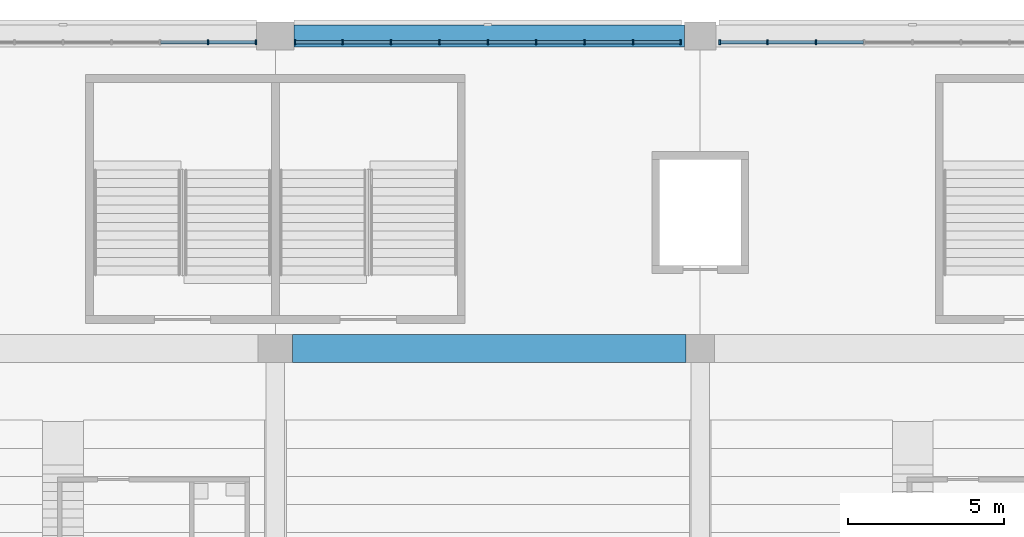
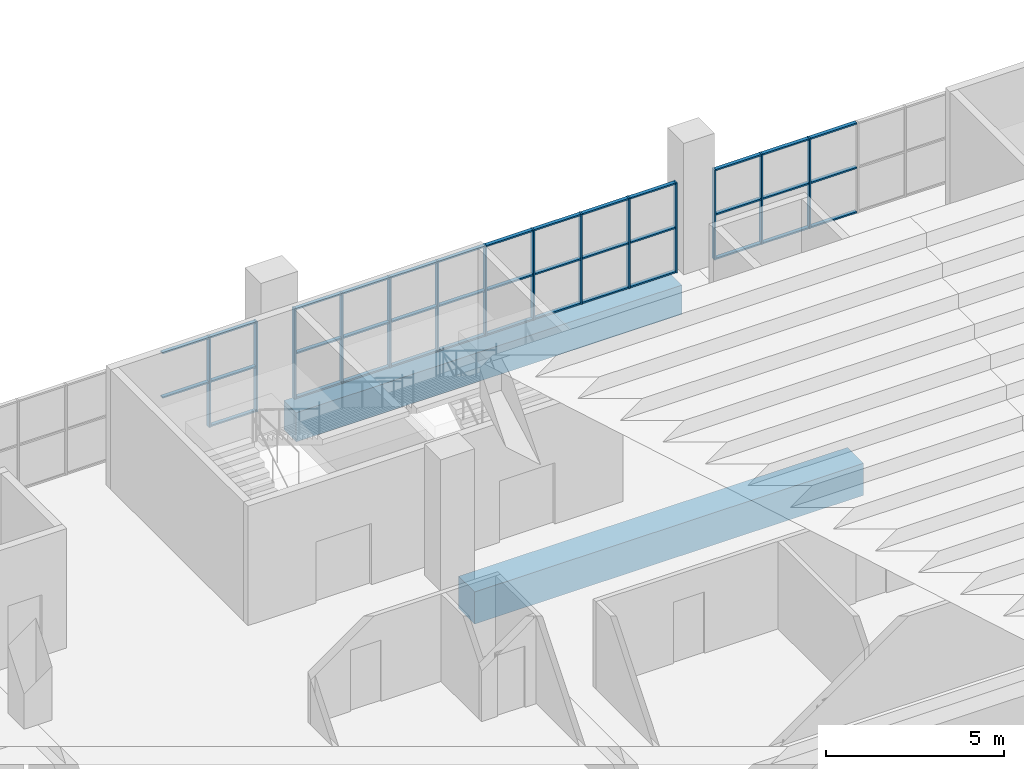
# One storey, part 51 of 249: 52 members, 2 beams, 3 elements without a shape of their own.
"""IFC4 building model written with IfcOpenShell, lengths in metres."""

from ifc_helpers import new_model, si_unit, direction, frame, origin, origin_2d, place, context, subcontext, project, spatial, rectangle, extrude, material, material_profile, profile_set, type_object, element, aggregate, save


model = new_model("IFC4")

# Units and contexts
model_context = context("Model", 3, precision=1e-05, world=origin(), true_north=direction((0.0, 1.0)))
body_context = subcontext(model_context, "Body", "Model", "MODEL_VIEW")
ifc_project = project(units=[si_unit("LENGTHUNIT", "METRE"), si_unit("AREAUNIT", "SQUARE_METRE"), si_unit("VOLUMEUNIT", "CUBIC_METRE"), si_unit("PLANEANGLEUNIT", "RADIAN"), si_unit("MASSUNIT", "GRAM", prefix="KILO")], contexts=[model_context])

# Site, building, storey
site_placement = place(None, origin())
site = spatial("IfcSite", under=ifc_project, at=site_placement, CompositionType="ELEMENT")
building_placement = place(site_placement, origin())
building = spatial("IfcBuilding", under=site, at=building_placement, Name="Ogive Plaza Stadium", CompositionType="ELEMENT")
storey_placement = place(building_placement, frame((0.0, 0.0, 13.5)))
storey = spatial("IfcBuildingStorey", under=building, at=storey_placement, Name="L03", CompositionType="ELEMENT", Elevation=13.5)

# Curtain wall, members
ifc_material_1 = material(Name="Bronze-anodised aluminium with laminated glass", Category="aluminium")
curtain_wall_type = type_object("IfcCurtainWallType", Name="Lancet curtain wall", PredefinedType="NOTDEFINED", material=ifc_material_1)
curtain_wall_1_placement = place(storey_placement, origin())
curtain_wall_1 = element("IfcCurtainWall", 1, at=curtain_wall_1_placement, inside=storey, type_object=curtain_wall_type, Name="CURTAIN WALL B33 L03", PredefinedType="NOTDEFINED")
ifc_material_2 = material(Name="Bronze-anodised aluminium", Category="aluminium")
ifc_material_profile_1 = material_profile(ifc_material_2, rectangle(XDim=0.14990234375, YDim=0.050048828125, at=origin_2d()), Name="AL 150x50")
ifc_profile_set_1 = profile_set([ifc_material_profile_1], Name="Bronze-anodised aluminium")
member_type_1 = type_object("IfcMemberType", Name="Curtain wall mullion 50x150", PredefinedType="MULLION", material=ifc_profile_set_1)
member_1_placement = place(storey_placement, frame((-8.949951171875, 102.300048828125, 0.0), z_axis=(0.0, 0.0, 1.0), x_axis=(0.0, 1.0, 0.0)))
member_1 = element("IfcMember", 2, at=member_1_placement, type_object=member_type_1, Name="CW-B33-L03 mullion 8", PredefinedType="MULLION", context=body_context, shape_type="SweptSolid", body=[
    extrude(rectangle(XDim=0.14990234375, YDim=0.050048828125, at=origin_2d()), origin(), (0.0, 0.0, 1.0), 3.090087890625),
])
member_2_placement = place(storey_placement, frame((-7.425048828125, 102.300048828125, 0.0), z_axis=(0.0, 0.0, 1.0), x_axis=(0.0, 1.0, 0.0)))
member_2 = element("IfcMember", 3, at=member_2_placement, type_object=member_type_1, Name="CW-B33-L03 mullion 9", PredefinedType="MULLION", context=body_context, shape_type="SweptSolid", body=[
    extrude(rectangle(XDim=0.14990234375, YDim=0.050048828125, at=origin_2d()), origin(), (0.0, 0.0, 1.0), 3.090087890625),
])

curtain_wall_2_placement = place(storey_placement, origin())
curtain_wall_2 = element("IfcCurtainWall", 4, at=curtain_wall_2_placement, inside=storey, type_object=curtain_wall_type, Name="CURTAIN WALL B34 L03", PredefinedType="NOTDEFINED")
member_3_placement = place(storey_placement, frame((-6.175048828125, 102.300048828125, 0.0), z_axis=(0.0, 0.0, 1.0), x_axis=(0.0, 1.0, 0.0)))
member_3 = element("IfcMember", 5, at=member_3_placement, type_object=member_type_1, Name="CW-B34-L03 mullion 1", PredefinedType="MULLION", context=body_context, shape_type="SweptSolid", body=[
    extrude(rectangle(XDim=0.14990234375, YDim=0.050048828125, at=origin_2d()), origin(), (0.0, 0.0, 1.0), 3.090087890625),
])
member_4_placement = place(storey_placement, frame((-4.64990234375, 102.300048828125, 0.0), z_axis=(0.0, 0.0, 1.0), x_axis=(0.0, 1.0, 0.0)))
member_4 = element("IfcMember", 6, at=member_4_placement, type_object=member_type_1, Name="CW-B34-L03 mullion 2", PredefinedType="MULLION", context=body_context, shape_type="SweptSolid", body=[
    extrude(rectangle(XDim=0.14990234375, YDim=0.050048828125, at=origin_2d()), origin(), (0.0, 0.0, 1.0), 3.090087890625),
])
member_5_placement = place(storey_placement, frame((-3.10009765625, 102.300048828125, 0.0), z_axis=(0.0, 0.0, 1.0), x_axis=(0.0, 1.0, 0.0)))
member_5 = element("IfcMember", 7, at=member_5_placement, type_object=member_type_1, Name="CW-B34-L03 mullion 3", PredefinedType="MULLION", context=body_context, shape_type="SweptSolid", body=[
    extrude(rectangle(XDim=0.14990234375, YDim=0.050048828125, at=origin_2d()), origin(), (0.0, 0.0, 1.0), 3.090087890625),
])
member_6_placement = place(storey_placement, frame((-1.550048828125, 102.300048828125, 0.0), z_axis=(0.0, 0.0, 1.0), x_axis=(0.0, 1.0, 0.0)))
member_6 = element("IfcMember", 8, at=member_6_placement, type_object=member_type_1, Name="CW-B34-L03 mullion 4", PredefinedType="MULLION", context=body_context, shape_type="SweptSolid", body=[
    extrude(rectangle(XDim=0.14990234375, YDim=0.050048828125, at=origin_2d()), origin(), (0.0, 0.0, 1.0), 3.090087890625),
])
member_7_placement = place(storey_placement, frame((0.0, 102.300048828125, 0.0), z_axis=(0.0, 0.0, 1.0), x_axis=(0.0, 1.0, 0.0)))
member_7 = element("IfcMember", 9, at=member_7_placement, type_object=member_type_1, Name="CW-B34-L03 mullion 5", PredefinedType="MULLION", context=body_context, shape_type="SweptSolid", body=[
    extrude(rectangle(XDim=0.14990234375, YDim=0.050048828125, at=origin_2d()), origin(), (0.0, 0.0, 1.0), 3.090087890625),
])
member_8_placement = place(storey_placement, frame((1.550048828125, 102.300048828125, 0.0), z_axis=(0.0, 0.0, 1.0), x_axis=(0.0, 1.0, 0.0)))
member_8 = element("IfcMember", 10, at=member_8_placement, type_object=member_type_1, Name="CW-B34-L03 mullion 6", PredefinedType="MULLION", context=body_context, shape_type="SweptSolid", body=[
    extrude(rectangle(XDim=0.14990234375, YDim=0.050048828125, at=origin_2d()), origin(), (0.0, 0.0, 1.0), 3.090087890625),
])
member_9_placement = place(storey_placement, frame((3.10009765625, 102.300048828125, 0.0), z_axis=(0.0, 0.0, 1.0), x_axis=(0.0, 1.0, 0.0)))
member_9 = element("IfcMember", 11, at=member_9_placement, type_object=member_type_1, Name="CW-B34-L03 mullion 7", PredefinedType="MULLION", context=body_context, shape_type="SweptSolid", body=[
    extrude(rectangle(XDim=0.14990234375, YDim=0.050048828125, at=origin_2d()), origin(), (0.0, 0.0, 1.0), 3.090087890625),
])
member_10_placement = place(storey_placement, frame((4.64990234375, 102.300048828125, 0.0), z_axis=(0.0, 0.0, 1.0), x_axis=(0.0, 1.0, 0.0)))
member_10 = element("IfcMember", 12, at=member_10_placement, type_object=member_type_1, Name="CW-B34-L03 mullion 8", PredefinedType="MULLION", context=body_context, shape_type="SweptSolid", body=[
    extrude(rectangle(XDim=0.14990234375, YDim=0.050048828125, at=origin_2d()), origin(), (0.0, 0.0, 1.0), 3.090087890625),
])
member_11_placement = place(storey_placement, frame((6.175048828125, 102.300048828125, 0.0), z_axis=(0.0, 0.0, 1.0), x_axis=(0.0, 1.0, 0.0)))
member_11 = element("IfcMember", 13, at=member_11_placement, type_object=member_type_1, Name="CW-B34-L03 mullion 9", PredefinedType="MULLION", context=body_context, shape_type="SweptSolid", body=[
    extrude(rectangle(XDim=0.14990234375, YDim=0.050048828125, at=origin_2d()), origin(), (0.0, 0.0, 1.0), 3.090087890625),
])

curtain_wall_3_placement = place(storey_placement, origin())
curtain_wall_3 = element("IfcCurtainWall", 14, at=curtain_wall_3_placement, inside=storey, type_object=curtain_wall_type, Name="CURTAIN WALL B35 L03", PredefinedType="NOTDEFINED")
member_12_placement = place(storey_placement, frame((7.425048828125, 102.300048828125, 0.0), z_axis=(0.0, 0.0, 1.0), x_axis=(0.0, 1.0, 0.0)))
member_12 = element("IfcMember", 15, at=member_12_placement, type_object=member_type_1, Name="CW-B35-L03 mullion 1", PredefinedType="MULLION", context=body_context, shape_type="SweptSolid", body=[
    extrude(rectangle(XDim=0.14990234375, YDim=0.050048828125, at=origin_2d()), origin(), (0.0, 0.0, 1.0), 3.090087890625),
])
member_13_placement = place(storey_placement, frame((8.949951171875, 102.300048828125, 0.0), z_axis=(0.0, 0.0, 1.0), x_axis=(0.0, 1.0, 0.0)))
member_13 = element("IfcMember", 16, at=member_13_placement, type_object=member_type_1, Name="CW-B35-L03 mullion 2", PredefinedType="MULLION", context=body_context, shape_type="SweptSolid", body=[
    extrude(rectangle(XDim=0.14990234375, YDim=0.050048828125, at=origin_2d()), origin(), (0.0, 0.0, 1.0), 3.090087890625),
])
member_14_placement = place(storey_placement, frame((10.5, 102.300048828125, 0.0), z_axis=(0.0, 0.0, 1.0), x_axis=(0.0, 1.0, 0.0)))
member_14 = element("IfcMember", 17, at=member_14_placement, type_object=member_type_1, Name="CW-B35-L03 mullion 3", PredefinedType="MULLION", context=body_context, shape_type="SweptSolid", body=[
    extrude(rectangle(XDim=0.14990234375, YDim=0.050048828125, at=origin_2d()), origin(), (0.0, 0.0, 1.0), 3.090087890625),
])

# Member
ifc_material_3 = material(Name="Bronze-anodised aluminium", Category="aluminium")
ifc_material_profile_2 = material_profile(ifc_material_3, rectangle(XDim=0.1201171875, YDim=0.050048828125, at=origin_2d()), Name="AL 120x50")
ifc_profile_set_2 = profile_set([ifc_material_profile_2], Name="Bronze-anodised aluminium")
member_type_2 = type_object("IfcMemberType", Name="Curtain wall transom 50x120", PredefinedType="USERDEFINED", material=ifc_profile_set_2)
member_15_placement = place(storey_placement, frame((-10.47509765625, 102.300048828125, 1.544921875), z_axis=(1.0, 0.0, 0.0), x_axis=(0.0, 1.0, 0.0)))
member_15 = element("IfcMember", 18, at=member_15_placement, type_object=member_type_2, Name="CW-B33-L03 transom 7.2", ObjectType="TRANSOM", PredefinedType="USERDEFINED", context=body_context, shape_type="SweptSolid", body=[
    extrude(rectangle(XDim=0.1201171875, YDim=0.050048828125, at=origin_2d()), origin(), (0.0, 0.0, 1.0), 1.5),
])

member_16_placement = place(storey_placement, frame((-10.47509765625, 102.300048828125, 3.06494140625), z_axis=(1.0, 0.0, 0.0), x_axis=(0.0, 1.0, 0.0)))
member_16 = element("IfcMember", 19, at=member_16_placement, type_object=member_type_2, Name="CW-B33-L03 transom 7.3", ObjectType="TRANSOM", PredefinedType="USERDEFINED", context=body_context, shape_type="SweptSolid", body=[
    extrude(rectangle(XDim=0.1201171875, YDim=0.050048828125, at=origin_2d()), origin(), (0.0, 0.0, 1.0), 1.5),
])

member_17_placement = place(storey_placement, frame((-8.925048828125, 102.300048828125, 0.02490234375), z_axis=(1.0, 0.0, 0.0), x_axis=(0.0, 1.0, 0.0)))
member_17 = element("IfcMember", 20, at=member_17_placement, type_object=member_type_2, Name="CW-B33-L03 transom 8.1", ObjectType="TRANSOM", PredefinedType="USERDEFINED", context=body_context, shape_type="SweptSolid", body=[
    extrude(rectangle(XDim=0.1201171875, YDim=0.050048828125, at=origin_2d()), origin(), (0.0, 0.0, 1.0), 1.47509765625),
])

member_18_placement = place(storey_placement, frame((-8.925048828125, 102.300048828125, 1.544921875), z_axis=(1.0, 0.0, 0.0), x_axis=(0.0, 1.0, 0.0)))
member_18 = element("IfcMember", 21, at=member_18_placement, type_object=member_type_2, Name="CW-B33-L03 transom 8.2", ObjectType="TRANSOM", PredefinedType="USERDEFINED", context=body_context, shape_type="SweptSolid", body=[
    extrude(rectangle(XDim=0.1201171875, YDim=0.050048828125, at=origin_2d()), origin(), (0.0, 0.0, 1.0), 1.47509765625),
])

member_19_placement = place(storey_placement, frame((-8.925048828125, 102.300048828125, 3.06494140625), z_axis=(1.0, 0.0, 0.0), x_axis=(0.0, 1.0, 0.0)))
member_19 = element("IfcMember", 22, at=member_19_placement, type_object=member_type_2, Name="CW-B33-L03 transom 8.3", ObjectType="TRANSOM", PredefinedType="USERDEFINED", context=body_context, shape_type="SweptSolid", body=[
    extrude(rectangle(XDim=0.1201171875, YDim=0.050048828125, at=origin_2d()), origin(), (0.0, 0.0, 1.0), 1.47509765625),
])

aggregate(curtain_wall_1, [member_1, member_2, member_15, member_16, member_17, member_18, member_19])

member_20_placement = place(storey_placement, frame((-6.14990234375, 102.300048828125, 0.02490234375), z_axis=(1.0, 0.0, 0.0), x_axis=(0.0, 1.0, 0.0)))
member_20 = element("IfcMember", 23, at=member_20_placement, type_object=member_type_2, Name="CW-B34-L03 transom 1.1", ObjectType="TRANSOM", PredefinedType="USERDEFINED", context=body_context, shape_type="SweptSolid", body=[
    extrude(rectangle(XDim=0.1201171875, YDim=0.050048828125, at=origin_2d()), origin(), (0.0, 0.0, 1.0), 1.474853515625),
])

member_21_placement = place(storey_placement, frame((-6.14990234375, 102.300048828125, 1.544921875), z_axis=(1.0, 0.0, 0.0), x_axis=(0.0, 1.0, 0.0)))
member_21 = element("IfcMember", 24, at=member_21_placement, type_object=member_type_2, Name="CW-B34-L03 transom 1.2", ObjectType="TRANSOM", PredefinedType="USERDEFINED", context=body_context, shape_type="SweptSolid", body=[
    extrude(rectangle(XDim=0.1201171875, YDim=0.050048828125, at=origin_2d()), origin(), (0.0, 0.0, 1.0), 1.474853515625),
])

member_22_placement = place(storey_placement, frame((-6.14990234375, 102.300048828125, 3.06494140625), z_axis=(1.0, 0.0, 0.0), x_axis=(0.0, 1.0, 0.0)))
member_22 = element("IfcMember", 25, at=member_22_placement, type_object=member_type_2, Name="CW-B34-L03 transom 1.3", ObjectType="TRANSOM", PredefinedType="USERDEFINED", context=body_context, shape_type="SweptSolid", body=[
    extrude(rectangle(XDim=0.1201171875, YDim=0.050048828125, at=origin_2d()), origin(), (0.0, 0.0, 1.0), 1.474853515625),
])

member_23_placement = place(storey_placement, frame((-4.625, 102.300048828125, 0.02490234375), z_axis=(1.0, 0.0, 0.0), x_axis=(0.0, 1.0, 0.0)))
member_23 = element("IfcMember", 26, at=member_23_placement, type_object=member_type_2, Name="CW-B34-L03 transom 2.1", ObjectType="TRANSOM", PredefinedType="USERDEFINED", context=body_context, shape_type="SweptSolid", body=[
    extrude(rectangle(XDim=0.1201171875, YDim=0.050048828125, at=origin_2d()), origin(), (0.0, 0.0, 1.0), 1.5),
])

member_24_placement = place(storey_placement, frame((-4.625, 102.300048828125, 1.544921875), z_axis=(1.0, 0.0, 0.0), x_axis=(0.0, 1.0, 0.0)))
member_24 = element("IfcMember", 27, at=member_24_placement, type_object=member_type_2, Name="CW-B34-L03 transom 2.2", ObjectType="TRANSOM", PredefinedType="USERDEFINED", context=body_context, shape_type="SweptSolid", body=[
    extrude(rectangle(XDim=0.1201171875, YDim=0.050048828125, at=origin_2d()), origin(), (0.0, 0.0, 1.0), 1.5),
])

member_25_placement = place(storey_placement, frame((-4.625, 102.300048828125, 3.06494140625), z_axis=(1.0, 0.0, 0.0), x_axis=(0.0, 1.0, 0.0)))
member_25 = element("IfcMember", 28, at=member_25_placement, type_object=member_type_2, Name="CW-B34-L03 transom 2.3", ObjectType="TRANSOM", PredefinedType="USERDEFINED", context=body_context, shape_type="SweptSolid", body=[
    extrude(rectangle(XDim=0.1201171875, YDim=0.050048828125, at=origin_2d()), origin(), (0.0, 0.0, 1.0), 1.5),
])

member_26_placement = place(storey_placement, frame((-3.074951171875, 102.300048828125, 0.02490234375), z_axis=(1.0, 0.0, 0.0), x_axis=(0.0, 1.0, 0.0)))
member_26 = element("IfcMember", 29, at=member_26_placement, type_object=member_type_2, Name="CW-B34-L03 transom 3.1", ObjectType="TRANSOM", PredefinedType="USERDEFINED", context=body_context, shape_type="SweptSolid", body=[
    extrude(rectangle(XDim=0.1201171875, YDim=0.050048828125, at=origin_2d()), origin(), (0.0, 0.0, 1.0), 1.5),
])

member_27_placement = place(storey_placement, frame((-3.074951171875, 102.300048828125, 1.544921875), z_axis=(1.0, 0.0, 0.0), x_axis=(0.0, 1.0, 0.0)))
member_27 = element("IfcMember", 30, at=member_27_placement, type_object=member_type_2, Name="CW-B34-L03 transom 3.2", ObjectType="TRANSOM", PredefinedType="USERDEFINED", context=body_context, shape_type="SweptSolid", body=[
    extrude(rectangle(XDim=0.1201171875, YDim=0.050048828125, at=origin_2d()), origin(), (0.0, 0.0, 1.0), 1.5),
])

member_28_placement = place(storey_placement, frame((-3.074951171875, 102.300048828125, 3.06494140625), z_axis=(1.0, 0.0, 0.0), x_axis=(0.0, 1.0, 0.0)))
member_28 = element("IfcMember", 31, at=member_28_placement, type_object=member_type_2, Name="CW-B34-L03 transom 3.3", ObjectType="TRANSOM", PredefinedType="USERDEFINED", context=body_context, shape_type="SweptSolid", body=[
    extrude(rectangle(XDim=0.1201171875, YDim=0.050048828125, at=origin_2d()), origin(), (0.0, 0.0, 1.0), 1.5),
])

member_29_placement = place(storey_placement, frame((-1.52490234375, 102.300048828125, 0.02490234375), z_axis=(1.0, 0.0, 0.0), x_axis=(0.0, 1.0, 0.0)))
member_29 = element("IfcMember", 32, at=member_29_placement, type_object=member_type_2, Name="CW-B34-L03 transom 4.1", ObjectType="TRANSOM", PredefinedType="USERDEFINED", context=body_context, shape_type="SweptSolid", body=[
    extrude(rectangle(XDim=0.1201171875, YDim=0.050048828125, at=origin_2d()), origin(), (0.0, 0.0, 1.0), 1.5),
])

member_30_placement = place(storey_placement, frame((-1.52490234375, 102.300048828125, 1.544921875), z_axis=(1.0, 0.0, 0.0), x_axis=(0.0, 1.0, 0.0)))
member_30 = element("IfcMember", 33, at=member_30_placement, type_object=member_type_2, Name="CW-B34-L03 transom 4.2", ObjectType="TRANSOM", PredefinedType="USERDEFINED", context=body_context, shape_type="SweptSolid", body=[
    extrude(rectangle(XDim=0.1201171875, YDim=0.050048828125, at=origin_2d()), origin(), (0.0, 0.0, 1.0), 1.5),
])

member_31_placement = place(storey_placement, frame((-1.52490234375, 102.300048828125, 3.06494140625), z_axis=(1.0, 0.0, 0.0), x_axis=(0.0, 1.0, 0.0)))
member_31 = element("IfcMember", 34, at=member_31_placement, type_object=member_type_2, Name="CW-B34-L03 transom 4.3", ObjectType="TRANSOM", PredefinedType="USERDEFINED", context=body_context, shape_type="SweptSolid", body=[
    extrude(rectangle(XDim=0.1201171875, YDim=0.050048828125, at=origin_2d()), origin(), (0.0, 0.0, 1.0), 1.5),
])

member_32_placement = place(storey_placement, frame((0.02490234375, 102.300048828125, 0.02490234375), z_axis=(1.0, 0.0, 0.0), x_axis=(0.0, 1.0, 0.0)))
member_32 = element("IfcMember", 35, at=member_32_placement, type_object=member_type_2, Name="CW-B34-L03 transom 5.1", ObjectType="TRANSOM", PredefinedType="USERDEFINED", context=body_context, shape_type="SweptSolid", body=[
    extrude(rectangle(XDim=0.1201171875, YDim=0.050048828125, at=origin_2d()), origin(), (0.0, 0.0, 1.0), 1.5),
])

member_33_placement = place(storey_placement, frame((0.02490234375, 102.300048828125, 1.544921875), z_axis=(1.0, 0.0, 0.0), x_axis=(0.0, 1.0, 0.0)))
member_33 = element("IfcMember", 36, at=member_33_placement, type_object=member_type_2, Name="CW-B34-L03 transom 5.2", ObjectType="TRANSOM", PredefinedType="USERDEFINED", context=body_context, shape_type="SweptSolid", body=[
    extrude(rectangle(XDim=0.1201171875, YDim=0.050048828125, at=origin_2d()), origin(), (0.0, 0.0, 1.0), 1.5),
])

member_34_placement = place(storey_placement, frame((0.02490234375, 102.300048828125, 3.06494140625), z_axis=(1.0, 0.0, 0.0), x_axis=(0.0, 1.0, 0.0)))
member_34 = element("IfcMember", 37, at=member_34_placement, type_object=member_type_2, Name="CW-B34-L03 transom 5.3", ObjectType="TRANSOM", PredefinedType="USERDEFINED", context=body_context, shape_type="SweptSolid", body=[
    extrude(rectangle(XDim=0.1201171875, YDim=0.050048828125, at=origin_2d()), origin(), (0.0, 0.0, 1.0), 1.5),
])

member_35_placement = place(storey_placement, frame((1.574951171875, 102.300048828125, 0.02490234375), z_axis=(1.0, 0.0, 0.0), x_axis=(0.0, 1.0, 0.0)))
member_35 = element("IfcMember", 38, at=member_35_placement, type_object=member_type_2, Name="CW-B34-L03 transom 6.1", ObjectType="TRANSOM", PredefinedType="USERDEFINED", context=body_context, shape_type="SweptSolid", body=[
    extrude(rectangle(XDim=0.1201171875, YDim=0.050048828125, at=origin_2d()), origin(), (0.0, 0.0, 1.0), 1.5),
])

member_36_placement = place(storey_placement, frame((1.574951171875, 102.300048828125, 1.544921875), z_axis=(1.0, 0.0, 0.0), x_axis=(0.0, 1.0, 0.0)))
member_36 = element("IfcMember", 39, at=member_36_placement, type_object=member_type_2, Name="CW-B34-L03 transom 6.2", ObjectType="TRANSOM", PredefinedType="USERDEFINED", context=body_context, shape_type="SweptSolid", body=[
    extrude(rectangle(XDim=0.1201171875, YDim=0.050048828125, at=origin_2d()), origin(), (0.0, 0.0, 1.0), 1.5),
])

member_37_placement = place(storey_placement, frame((1.574951171875, 102.300048828125, 3.06494140625), z_axis=(1.0, 0.0, 0.0), x_axis=(0.0, 1.0, 0.0)))
member_37 = element("IfcMember", 40, at=member_37_placement, type_object=member_type_2, Name="CW-B34-L03 transom 6.3", ObjectType="TRANSOM", PredefinedType="USERDEFINED", context=body_context, shape_type="SweptSolid", body=[
    extrude(rectangle(XDim=0.1201171875, YDim=0.050048828125, at=origin_2d()), origin(), (0.0, 0.0, 1.0), 1.5),
])

member_38_placement = place(storey_placement, frame((3.125, 102.300048828125, 0.02490234375), z_axis=(1.0, 0.0, 0.0), x_axis=(0.0, 1.0, 0.0)))
member_38 = element("IfcMember", 41, at=member_38_placement, type_object=member_type_2, Name="CW-B34-L03 transom 7.1", ObjectType="TRANSOM", PredefinedType="USERDEFINED", context=body_context, shape_type="SweptSolid", body=[
    extrude(rectangle(XDim=0.1201171875, YDim=0.050048828125, at=origin_2d()), origin(), (0.0, 0.0, 1.0), 1.5),
])

member_39_placement = place(storey_placement, frame((3.125, 102.300048828125, 1.544921875), z_axis=(1.0, 0.0, 0.0), x_axis=(0.0, 1.0, 0.0)))
member_39 = element("IfcMember", 42, at=member_39_placement, type_object=member_type_2, Name="CW-B34-L03 transom 7.2", ObjectType="TRANSOM", PredefinedType="USERDEFINED", context=body_context, shape_type="SweptSolid", body=[
    extrude(rectangle(XDim=0.1201171875, YDim=0.050048828125, at=origin_2d()), origin(), (0.0, 0.0, 1.0), 1.5),
])

member_40_placement = place(storey_placement, frame((3.125, 102.300048828125, 3.06494140625), z_axis=(1.0, 0.0, 0.0), x_axis=(0.0, 1.0, 0.0)))
member_40 = element("IfcMember", 43, at=member_40_placement, type_object=member_type_2, Name="CW-B34-L03 transom 7.3", ObjectType="TRANSOM", PredefinedType="USERDEFINED", context=body_context, shape_type="SweptSolid", body=[
    extrude(rectangle(XDim=0.1201171875, YDim=0.050048828125, at=origin_2d()), origin(), (0.0, 0.0, 1.0), 1.5),
])

member_41_placement = place(storey_placement, frame((4.675048828125, 102.300048828125, 0.02490234375), z_axis=(1.0, 0.0, 0.0), x_axis=(0.0, 1.0, 0.0)))
member_41 = element("IfcMember", 44, at=member_41_placement, type_object=member_type_2, Name="CW-B34-L03 transom 8.1", ObjectType="TRANSOM", PredefinedType="USERDEFINED", context=body_context, shape_type="SweptSolid", body=[
    extrude(rectangle(XDim=0.1201171875, YDim=0.050048828125, at=origin_2d()), origin(), (0.0, 0.0, 1.0), 1.474853515625),
])

member_42_placement = place(storey_placement, frame((4.675048828125, 102.300048828125, 1.544921875), z_axis=(1.0, 0.0, 0.0), x_axis=(0.0, 1.0, 0.0)))
member_42 = element("IfcMember", 45, at=member_42_placement, type_object=member_type_2, Name="CW-B34-L03 transom 8.2", ObjectType="TRANSOM", PredefinedType="USERDEFINED", context=body_context, shape_type="SweptSolid", body=[
    extrude(rectangle(XDim=0.1201171875, YDim=0.050048828125, at=origin_2d()), origin(), (0.0, 0.0, 1.0), 1.474853515625),
])

member_43_placement = place(storey_placement, frame((4.675048828125, 102.300048828125, 3.06494140625), z_axis=(1.0, 0.0, 0.0), x_axis=(0.0, 1.0, 0.0)))
member_43 = element("IfcMember", 46, at=member_43_placement, type_object=member_type_2, Name="CW-B34-L03 transom 8.3", ObjectType="TRANSOM", PredefinedType="USERDEFINED", context=body_context, shape_type="SweptSolid", body=[
    extrude(rectangle(XDim=0.1201171875, YDim=0.050048828125, at=origin_2d()), origin(), (0.0, 0.0, 1.0), 1.474853515625),
])

aggregate(curtain_wall_2, [member_3, member_4, member_5, member_6, member_7, member_8, member_9, member_10, member_11, member_20, member_21, member_22, member_23, member_24, member_25, member_26, member_27, member_28, member_29, member_30, member_31, member_32, member_33, member_34, member_35, member_36, member_37, member_38, member_39, member_40, member_41, member_42, member_43])

member_44_placement = place(storey_placement, frame((7.449951171875, 102.300048828125, 0.02490234375), z_axis=(1.0, 0.0, 0.0), x_axis=(0.0, 1.0, 0.0)))
member_44 = element("IfcMember", 47, at=member_44_placement, type_object=member_type_2, Name="CW-B35-L03 transom 1.1", ObjectType="TRANSOM", PredefinedType="USERDEFINED", context=body_context, shape_type="SweptSolid", body=[
    extrude(rectangle(XDim=0.1201171875, YDim=0.050048828125, at=origin_2d()), origin(), (0.0, 0.0, 1.0), 1.47509765625),
])

member_45_placement = place(storey_placement, frame((7.449951171875, 102.300048828125, 1.544921875), z_axis=(1.0, 0.0, 0.0), x_axis=(0.0, 1.0, 0.0)))
member_45 = element("IfcMember", 48, at=member_45_placement, type_object=member_type_2, Name="CW-B35-L03 transom 1.2", ObjectType="TRANSOM", PredefinedType="USERDEFINED", context=body_context, shape_type="SweptSolid", body=[
    extrude(rectangle(XDim=0.1201171875, YDim=0.050048828125, at=origin_2d()), origin(), (0.0, 0.0, 1.0), 1.47509765625),
])

member_46_placement = place(storey_placement, frame((7.449951171875, 102.300048828125, 3.06494140625), z_axis=(1.0, 0.0, 0.0), x_axis=(0.0, 1.0, 0.0)))
member_46 = element("IfcMember", 49, at=member_46_placement, type_object=member_type_2, Name="CW-B35-L03 transom 1.3", ObjectType="TRANSOM", PredefinedType="USERDEFINED", context=body_context, shape_type="SweptSolid", body=[
    extrude(rectangle(XDim=0.1201171875, YDim=0.050048828125, at=origin_2d()), origin(), (0.0, 0.0, 1.0), 1.47509765625),
])

member_47_placement = place(storey_placement, frame((8.97509765625, 102.300048828125, 0.02490234375), z_axis=(1.0, 0.0, 0.0), x_axis=(0.0, 1.0, 0.0)))
member_47 = element("IfcMember", 50, at=member_47_placement, type_object=member_type_2, Name="CW-B35-L03 transom 2.1", ObjectType="TRANSOM", PredefinedType="USERDEFINED", context=body_context, shape_type="SweptSolid", body=[
    extrude(rectangle(XDim=0.1201171875, YDim=0.050048828125, at=origin_2d()), origin(), (0.0, 0.0, 1.0), 1.5),
])

member_48_placement = place(storey_placement, frame((8.97509765625, 102.300048828125, 1.544921875), z_axis=(1.0, 0.0, 0.0), x_axis=(0.0, 1.0, 0.0)))
member_48 = element("IfcMember", 51, at=member_48_placement, type_object=member_type_2, Name="CW-B35-L03 transom 2.2", ObjectType="TRANSOM", PredefinedType="USERDEFINED", context=body_context, shape_type="SweptSolid", body=[
    extrude(rectangle(XDim=0.1201171875, YDim=0.050048828125, at=origin_2d()), origin(), (0.0, 0.0, 1.0), 1.5),
])

member_49_placement = place(storey_placement, frame((8.97509765625, 102.300048828125, 3.06494140625), z_axis=(1.0, 0.0, 0.0), x_axis=(0.0, 1.0, 0.0)))
member_49 = element("IfcMember", 52, at=member_49_placement, type_object=member_type_2, Name="CW-B35-L03 transom 2.3", ObjectType="TRANSOM", PredefinedType="USERDEFINED", context=body_context, shape_type="SweptSolid", body=[
    extrude(rectangle(XDim=0.1201171875, YDim=0.050048828125, at=origin_2d()), origin(), (0.0, 0.0, 1.0), 1.5),
])

member_50_placement = place(storey_placement, frame((10.52490234375, 102.300048828125, 0.02490234375), z_axis=(1.0, 0.0, 0.0), x_axis=(0.0, 1.0, 0.0)))
member_50 = element("IfcMember", 53, at=member_50_placement, type_object=member_type_2, Name="CW-B35-L03 transom 3.1", ObjectType="TRANSOM", PredefinedType="USERDEFINED", context=body_context, shape_type="SweptSolid", body=[
    extrude(rectangle(XDim=0.1201171875, YDim=0.050048828125, at=origin_2d()), origin(), (0.0, 0.0, 1.0), 1.5),
])

member_51_placement = place(storey_placement, frame((10.52490234375, 102.300048828125, 1.544921875), z_axis=(1.0, 0.0, 0.0), x_axis=(0.0, 1.0, 0.0)))
member_51 = element("IfcMember", 54, at=member_51_placement, type_object=member_type_2, Name="CW-B35-L03 transom 3.2", ObjectType="TRANSOM", PredefinedType="USERDEFINED", context=body_context, shape_type="SweptSolid", body=[
    extrude(rectangle(XDim=0.1201171875, YDim=0.050048828125, at=origin_2d()), origin(), (0.0, 0.0, 1.0), 1.5),
])

member_52_placement = place(storey_placement, frame((10.52490234375, 102.300048828125, 3.06494140625), z_axis=(1.0, 0.0, 0.0), x_axis=(0.0, 1.0, 0.0)))
member_52 = element("IfcMember", 55, at=member_52_placement, type_object=member_type_2, Name="CW-B35-L03 transom 3.3", ObjectType="TRANSOM", PredefinedType="USERDEFINED", context=body_context, shape_type="SweptSolid", body=[
    extrude(rectangle(XDim=0.1201171875, YDim=0.050048828125, at=origin_2d()), origin(), (0.0, 0.0, 1.0), 1.5),
])

aggregate(curtain_wall_3, [member_12, member_13, member_14, member_44, member_45, member_46, member_47, member_48, member_49, member_50, member_51, member_52])

# Beams
ifc_material_4 = material(Name="Concrete C40/50", Category="concrete")
ifc_material_profile_3 = material_profile(ifc_material_4, rectangle(XDim=0.89990234375, YDim=1.10009765625, at=origin_2d()), Name="RC 900x1100")
ifc_profile_set_3 = profile_set([ifc_material_profile_3], Name="Concrete C40/50")
beam_type_1 = type_object("IfcBeamType", Name="RC ring beam 900x1100", PredefinedType="BEAM", material=ifc_profile_set_3)
beam_1_placement = place(storey_placement, frame((-6.25, 92.5, -0.9599609375), z_axis=(1.0, 0.0, 0.0), x_axis=(0.0, 1.0, 0.0)))
element("IfcBeam", 56, at=beam_1_placement, inside=storey, type_object=beam_type_1, Name="Ring beam F4 L03 B34", PredefinedType="BEAM", context=body_context, shape_type="SweptSolid", body=[
    extrude(rectangle(XDim=0.89990234375, YDim=1.10009765625, at=origin_2d()), origin(), (0.0, 0.0, 1.0), 12.60009765625),
])
ifc_material_5 = material(Name="Concrete C40/50", Category="concrete")
ifc_material_profile_4 = material_profile(ifc_material_5, rectangle(XDim=0.699951171875, YDim=1.0, at=origin_2d()), Name="RC 700x1000")
ifc_profile_set_4 = profile_set([ifc_material_profile_4], Name="Concrete C40/50")
beam_type_2 = type_object("IfcBeamType", Name="RC spandrel beam 700x1000", PredefinedType="SPANDREL", material=ifc_profile_set_4)
beam_2_placement = place(storey_placement, frame((-6.199951171875, 102.5, -0.909912109375), z_axis=(1.0, 0.0, 0.0), x_axis=(0.0, 1.0, 0.0)))
element("IfcBeam", 57, at=beam_2_placement, inside=storey, type_object=beam_type_2, Name="Ring beam F5 L03 B34", PredefinedType="SPANDREL", context=body_context, shape_type="SweptSolid", body=[
    extrude(rectangle(XDim=0.699951171875, YDim=1.0, at=origin_2d()), origin(), (0.0, 0.0, 1.0), 12.5),
])

save(model, "model.ifc")
